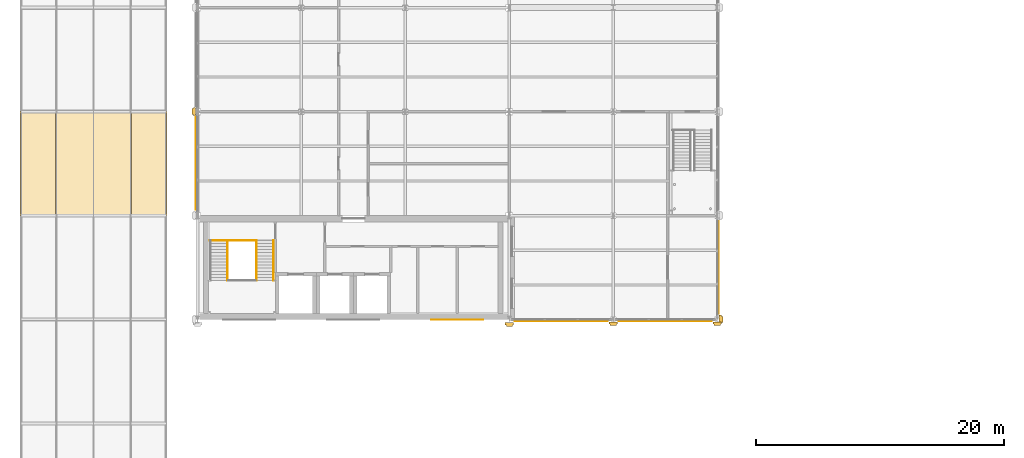
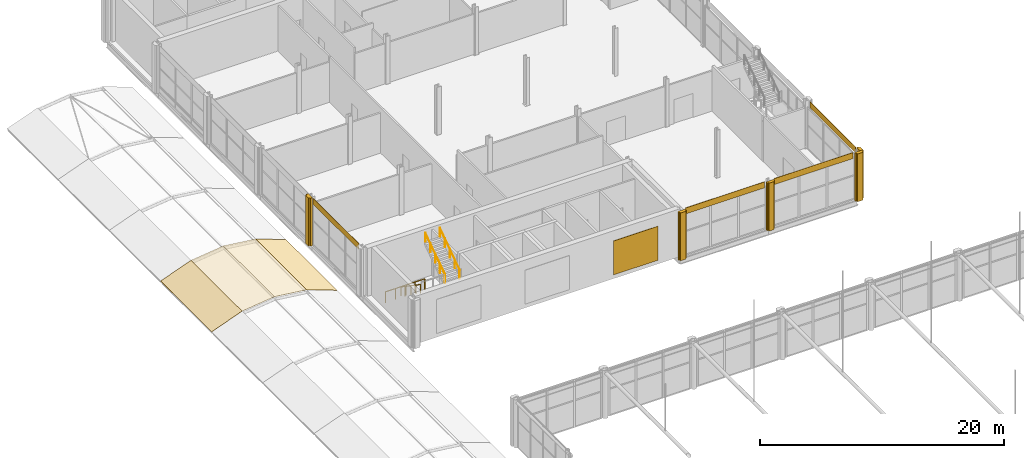
# One storey, part 164 of 167: 14 coverings, 4 railings.
"""IFC4 building model written with IfcOpenShell, lengths in metres."""

from ifc_helpers import new_model, si_unit, direction, frame, origin, origin_2d, place, context, subcontext, project, spatial, polyline, rectangle, circle, outline, extrude, material, layer, layer_set, type_object, element, save


model = new_model("IFC4")

# Units and contexts
model_context = context("Model", 3, precision=1e-05, world=origin(), true_north=direction((0.0, 1.0)))
body_context = subcontext(model_context, "Body", "Model", "MODEL_VIEW")
ifc_project = project(units=[si_unit("LENGTHUNIT", "METRE"), si_unit("AREAUNIT", "SQUARE_METRE"), si_unit("VOLUMEUNIT", "CUBIC_METRE"), si_unit("PLANEANGLEUNIT", "RADIAN"), si_unit("MASSUNIT", "GRAM", prefix="KILO")], contexts=[model_context])

# Site, building, storey
site_placement = place(None, origin())
site = spatial("IfcSite", under=ifc_project, at=site_placement, CompositionType="ELEMENT")
building_placement = place(site_placement, origin())
building = spatial("IfcBuilding", under=site, at=building_placement, Name="Catenary Quay Ferry Terminal", CompositionType="ELEMENT")
storey_placement = place(building_placement, frame((0.0, 0.0, 6.0)))
storey = spatial("IfcBuildingStorey", under=building, at=storey_placement, Name="L01", CompositionType="ELEMENT", Elevation=6.0)

# Coverings
ifc_material_1 = material(Name="Ceramic tile")
ifc_layer_1 = layer(ifc_material_1, 0.0400390625)
ifc_layer_set_1 = layer_set([ifc_layer_1], Name="CL2")
covering_type_1 = type_object("IfcCoveringType", Name="CL2", PredefinedType="CLADDING", material=ifc_layer_set_1)
covering_1_placement = place(storey_placement, origin())
element("IfcCovering", 1, at=covering_1_placement, inside=storey, type_object=covering_type_1, Name="Ceramic pier casing", PredefinedType="CLADDING", context=body_context, shape_type="SweptSolid", body=[
    extrude(outline(polyline([(50.050048828125, 159.35009765625), (50.050048828125, 159.169921875), (50.14990234375, 159.169921875), (50.14990234375, 159.050048828125), (50.64990234375, 159.050048828125), (50.64990234375, 159.169921875), (50.75, 159.169921875), (50.75, 159.35009765625), (50.050048828125, 159.35009765625)])), origin(), (0.0, 0.0, 1.0), 4.800048828125),
])
covering_2_placement = place(storey_placement, origin())
element("IfcCovering", 2, at=covering_2_placement, inside=storey, type_object=covering_type_1, Name="Ceramic pier casing", PredefinedType="CLADDING", context=body_context, shape_type="SweptSolid", body=[
    extrude(outline(polyline([(25.050048828125, 176.75), (24.8701171875, 176.75), (24.8701171875, 176.64990234375), (24.75, 176.64990234375), (24.75, 176.14990234375), (24.8701171875, 176.14990234375), (24.8701171875, 176.050048828125), (25.050048828125, 176.050048828125), (25.050048828125, 176.75)])), origin(), (0.0, 0.0, 1.0), 4.800048828125),
])
covering_3_placement = place(storey_placement, origin())
element("IfcCovering", 3, at=covering_3_placement, inside=storey, type_object=covering_type_1, Name="Ceramic pier casing", PredefinedType="CLADDING", context=body_context, shape_type="SweptSolid", body=[
    extrude(outline(polyline([(58.449951171875, 159.39990234375), (58.449951171875, 159.219970703125), (58.550048828125, 159.219970703125), (58.550048828125, 159.10009765625), (59.050048828125, 159.10009765625), (59.050048828125, 159.219970703125), (59.14990234375, 159.219970703125), (59.14990234375, 159.39990234375), (58.449951171875, 159.39990234375)])), origin(), (0.0, 0.0, 1.0), 4.800048828125),
])
covering_4_placement = place(storey_placement, origin())
element("IfcCovering", 4, at=covering_4_placement, inside=storey, type_object=covering_type_1, Name="Ceramic pier casing", PredefinedType="CLADDING", context=body_context, shape_type="SweptSolid", body=[
    extrude(outline(polyline([(67.35009765625, 159.25), (67.530029296875, 159.25), (67.530029296875, 159.35009765625), (67.64990234375, 159.35009765625), (67.64990234375, 159.85009765625), (67.530029296875, 159.85009765625), (67.530029296875, 159.949951171875), (67.35009765625, 159.949951171875), (67.35009765625, 159.25)])), origin(), (0.0, 0.0, 1.0), 4.800048828125),
])
covering_5_placement = place(storey_placement, origin())
element("IfcCovering", 5, at=covering_5_placement, inside=storey, type_object=covering_type_1, Name="Ceramic pier casing", PredefinedType="CLADDING", context=body_context, shape_type="SweptSolid", body=[
    extrude(outline(polyline([(66.85009765625, 159.39990234375), (66.85009765625, 159.219970703125), (66.949951171875, 159.219970703125), (66.949951171875, 159.10009765625), (67.449951171875, 159.10009765625), (67.449951171875, 159.219970703125), (67.550048828125, 159.219970703125), (67.550048828125, 159.39990234375), (66.85009765625, 159.39990234375)])), origin(), (0.0, 0.0, 1.0), 4.800048828125),
])
ifc_material_2 = material(Name="Ceramic tile")
ifc_layer_2 = layer(ifc_material_2, 0.034912109375)
ifc_layer_set_2 = layer_set([ifc_layer_2], Name="CL5")
covering_type_2 = type_object("IfcCoveringType", Name="CL5", PredefinedType="CLADDING", material=ifc_layer_set_2)
covering_6_placement = place(storey_placement, frame((46.199951171875, 159.58251953125, 0.400146484375), z_axis=(0.0, 0.0, 1.0), x_axis=(1.0, 0.0, 0.0)))
element("IfcCovering", 6, at=covering_6_placement, inside=storey, type_object=covering_type_2, Name="Core h159.6 cladding CV323", PredefinedType="CLADDING", context=body_context, shape_type="SweptSolid", body=[
    extrude(rectangle(XDim=4.199951171875, YDim=0.034912109375, at=origin_2d()), origin(), (0.0, 0.0, 1.0), 3.39990234375),
])
ifc_material_3 = material(Name="Glazed ceramic tile, ochre")
ifc_layer_3 = layer(ifc_material_3, 0.030029296875)
ifc_layer_set_3 = layer_set([ifc_layer_3], Name="CL6")
covering_type_3 = type_object("IfcCoveringType", Name="CL6", PredefinedType="CLADDING", material=ifc_layer_set_3)
for number, where, z_axis, x_axis, name in (
    (7, (67.3193359375, 163.800048828125, 4.199951171875), (0.0, 0.0, 1.0), (1.0, 0.0, 0.0), "Band wing v67.2 cladding CV306"),
    (8, (25.08056640625, 172.199951171875, 4.199951171875), (0.0, 0.0, 1.0), (1.0, 0.0, 0.0), "Band wing v25.2 cladding CV317"),
):
    element("IfcCovering", number, at=place(storey_placement, frame(where, z_axis=z_axis, x_axis=x_axis)), inside=storey, type_object=covering_type_3, Name=name, PredefinedType="CLADDING", context=body_context, shape_type="SweptSolid", body=[
        extrude(rectangle(XDim=0.030029296875, YDim=7.5, at=origin_2d()), origin(), (0.0, 0.0, 1.0), 0.60009765625),
    ])
for number, where, z_axis, x_axis, name in (
    (9, (54.60009765625, 159.480712890625, 4.199951171875), (0.0, 0.0, 1.0), (1.0, 0.0, 0.0), "Band wing h159.6 cladding CV324"),
    (10, (63.0, 159.480712890625, 4.199951171875), (0.0, 0.0, 1.0), (1.0, 0.0, 0.0), "Band wing h159.6 cladding CV325"),
):
    element("IfcCovering", number, at=place(storey_placement, frame(where, z_axis=z_axis, x_axis=x_axis)), inside=storey, type_object=covering_type_3, Name=name, PredefinedType="CLADDING", context=body_context, shape_type="SweptSolid", body=[
        extrude(rectangle(XDim=7.5, YDim=0.030029296875, at=origin_2d()), origin(), (0.0, 0.0, 1.0), 0.60009765625),
    ])

# Railings
ifc_material_4 = material(Name="Steel and glass", Category="steel")
railing_type_1 = type_object("IfcRailingType", Name="GI1", PredefinedType="GUARDRAIL", material=ifc_material_4)
railing_1_placement = place(storey_placement, frame((26.199951171875, 166.0, 0.0)))
element("IfcRailing", 11, at=railing_1_placement, inside=storey, type_object=railing_type_1, Name="HS2 well guard GI124", PredefinedType="GUARDRAIL", context=body_context, shape_type="SweptSolid", body=[
    extrude(circle(Radius=0.02392578125, at=origin_2d()), frame((0.0, 0.0, 1.076171875), z_axis=(1.0, 0.0, 0.0), x_axis=(0.0, 1.0, 0.0)), (0.0, 0.0, 1.0), 3.699951171875),
    extrude(circle(Radius=0.02099609375, at=origin_2d()), origin(), (0.0, 0.0, 1.0), 1.052001953125),
    extrude(circle(Radius=0.02099609375, at=origin_2d()), frame((0.925048828125, 0.0, 0.0)), (0.0, 0.0, 1.0), 1.052001953125),
    extrude(circle(Radius=0.02099609375, at=origin_2d()), frame((1.85009765625, 0.0, 0.0)), (0.0, 0.0, 1.0), 1.052001953125),
    extrude(circle(Radius=0.02099609375, at=origin_2d()), frame((2.77490234375, 0.0, 0.0)), (0.0, 0.0, 1.0), 1.052001953125),
    extrude(circle(Radius=0.02099609375, at=origin_2d()), frame((3.699951171875, 0.0, 0.0)), (0.0, 0.0, 1.0), 1.052001953125),
])
ifc_material_5 = material(Name="Stainless steel", Category="steel")
railing_type_2 = type_object("IfcRailingType", Name="HR1", PredefinedType="HANDRAIL", material=ifc_material_5)
railing_2_placement = place(storey_placement, frame((27.639892578125, 166.0, 0.17138671875)))
element("IfcRailing", 12, at=railing_2_placement, inside=storey, type_object=railing_type_2, Name="HS2 F1B handrail HR135", PredefinedType="HANDRAIL", context=body_context, shape_type="SweptSolid", body=[
    extrude(circle(Radius=0.02392578125, at=origin_2d()), frame((0.0, 0.0, 0.8759765625), z_axis=(0.0, -0.824735456578, 0.565518723531), x_axis=(1.0, 0.0, 0.0)), (0.0, 0.0, 1.0), 3.940673828125),
    extrude(circle(Radius=0.02099609375, at=origin_2d()), origin(), (0.0, 0.0, 1.0), 0.851806640625),
    extrude(circle(Radius=0.02099609375, at=origin_2d()), frame((0.0, -0.8125, 0.55712890625)), (0.0, 0.0, 1.0), 0.851806640625),
    extrude(circle(Radius=0.02099609375, at=origin_2d()), frame((0.0, -1.625, 1.1142578125)), (0.0, 0.0, 1.0), 0.851806640625),
    extrude(circle(Radius=0.02099609375, at=origin_2d()), frame((0.0, -2.4375, 1.67138671875)), (0.0, 0.0, 1.0), 0.851806640625),
    extrude(circle(Radius=0.02099609375, at=origin_2d()), frame((0.0, -3.25, 2.228515625)), (0.0, 0.0, 1.0), 0.851806640625),
])
for number, where, name in (
    (13, (29.9599609375, 162.75, 2.571533203125), "HS2 F2A handrail HR136"),
    (14, (31.340087890625, 162.75, 2.571533203125), "HS2 F2B handrail HR137"),
):
    element("IfcRailing", number, at=place(storey_placement, frame(where)), inside=storey, type_object=railing_type_2, Name=name, PredefinedType="HANDRAIL", context=body_context, shape_type="SweptSolid", body=[
        extrude(circle(Radius=0.02392578125, at=origin_2d()), frame((0.0, 0.0, 0.8759765625), z_axis=(0.0, 0.824735456578, 0.565518723531), x_axis=(-1.0, 0.0, 0.0)), (0.0, 0.0, 1.0), 3.940673828125),
        extrude(circle(Radius=0.02099609375, at=origin_2d()), origin(), (0.0, 0.0, 1.0), 0.851806640625),
        extrude(circle(Radius=0.02099609375, at=origin_2d()), frame((0.0, 0.8125, 0.55712890625)), (0.0, 0.0, 1.0), 0.851806640625),
        extrude(circle(Radius=0.02099609375, at=origin_2d()), frame((0.0, 1.625, 1.1142578125)), (0.0, 0.0, 1.0), 0.851806640625),
        extrude(circle(Radius=0.02099609375, at=origin_2d()), frame((0.0, 2.4375, 1.67138671875)), (0.0, 0.0, 1.0), 0.851806640625),
        extrude(circle(Radius=0.02099609375, at=origin_2d()), frame((0.0, 3.25, 2.228515625)), (0.0, 0.0, 1.0), 0.851806640625),
    ])

# Coverings
ifc_material_6 = material(Name="Laminated glass", Category="glass")
ifc_layer_4 = layer(ifc_material_6, 0.030029296875)
ifc_layer_set_4 = layer_set([ifc_layer_4], Name="RF2")
covering_type_4 = type_object("IfcCoveringType", Name="RF2", PredefinedType="ROOFING", material=ifc_layer_set_4)
covering_7_placement = place(storey_placement, frame((10.858154296875, 168.0, 1.2158203125), z_axis=(-0.346768604163, 0.0, 0.937950710414), x_axis=(0.0, 1.0, 0.0)))
element("IfcCovering", 15, at=covering_7_placement, inside=storey, type_object=covering_type_4, Name="Forecourt canopy roof", PredefinedType="ROOFING", context=body_context, shape_type="SweptSolid", body=[
    extrude(outline(polyline([(0.0, 0.0), (8.39990234375, 0.0), (8.39990234375, -3.0745635463365493), (0.0, -3.0745635463365493), (0.0, 0.0)])), origin(), (0.0, 0.0, -1.0), 0.031982421875),
])
covering_8_placement = place(storey_placement, frame((13.741943359375, 168.0, 2.281982421875), z_axis=(-0.122181619395, 0.0, 0.992507759104), x_axis=(0.0, 1.0, 0.0)))
element("IfcCovering", 16, at=covering_8_placement, inside=storey, type_object=covering_type_4, Name="Forecourt canopy roof", PredefinedType="ROOFING", context=body_context, shape_type="SweptSolid", body=[
    extrude(outline(polyline([(0.0, 0.0), (8.39990234375, 0.0), (8.39990234375, -3.0811904901479834), (0.0, -3.0811904901479834), (0.0, 0.0)])), origin(), (0.0, 0.0, -1.0), 0.0302734375),
])
covering_9_placement = place(storey_placement, frame((16.800048828125, 168.0, 2.658447265625), z_axis=(0.122191228771, 0.0, 0.992506576105), x_axis=(0.0, 1.0, 0.0)))
element("IfcCovering", 17, at=covering_9_placement, inside=storey, type_object=covering_type_4, Name="Forecourt canopy roof", PredefinedType="ROOFING", context=body_context, shape_type="SweptSolid", body=[
    extrude(outline(polyline([(0.0, 0.0), (8.39990234375, 0.0), (8.39990234375, -3.080948178827762), (0.0, -3.080948178827762), (0.0, 0.0)])), origin(), (0.0, 0.0, -1.0), 0.0302734375),
])
covering_10_placement = place(storey_placement, frame((19.85791015625, 168.0, 2.281982421875), z_axis=(0.346768604163, 0.0, 0.937950710414), x_axis=(0.0, 1.0, 0.0)))
element("IfcCovering", 18, at=covering_10_placement, inside=storey, type_object=covering_type_4, Name="Forecourt canopy roof", PredefinedType="ROOFING", context=body_context, shape_type="SweptSolid", body=[
    extrude(outline(polyline([(0.0, 0.0), (8.39990234375, 0.0), (8.39990234375, -3.0745635463365493), (0.0, -3.0745635463365493), (0.0, 0.0)])), origin(), (0.0, 0.0, -1.0), 0.031982421875),
])

save(model, "model.ifc")
